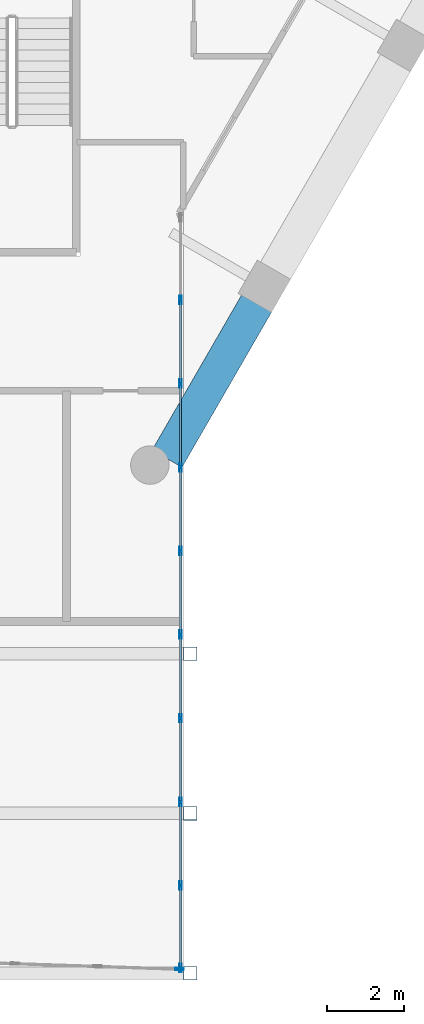
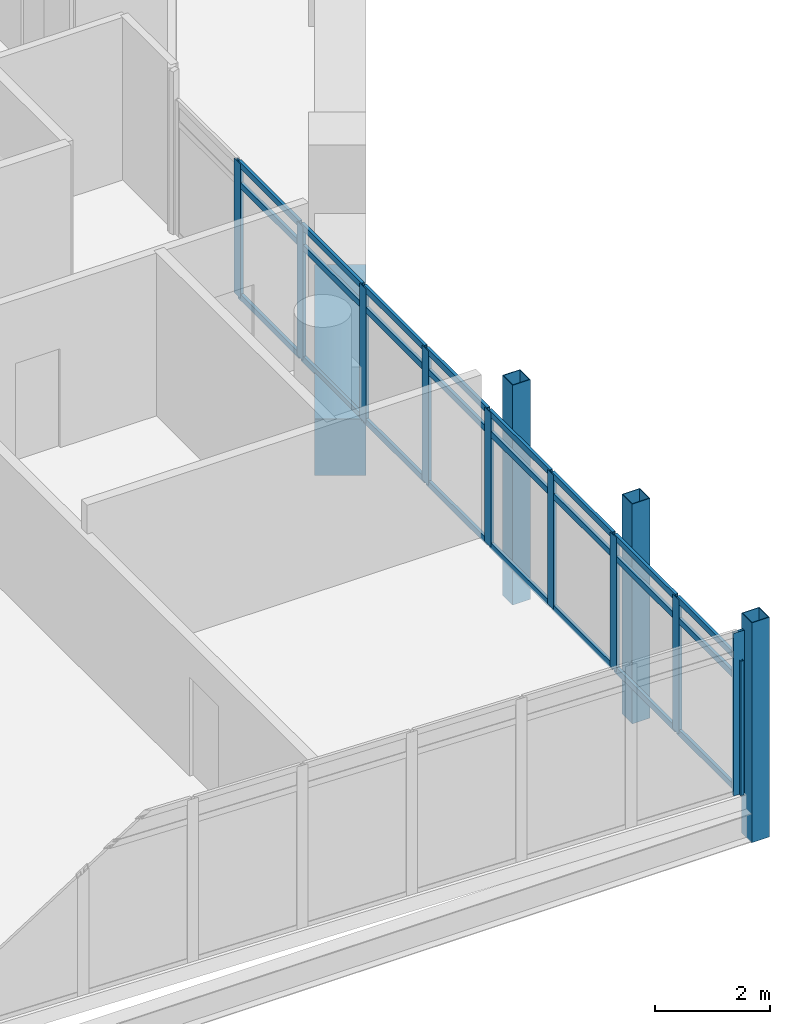
# One storey, part 10 of 29: 37 members, 1 beam, 2 elements without a shape of their own.
"""IFC4 building model written with IfcOpenShell, lengths in metres."""

from ifc_helpers import new_model, si_unit, direction, frame, origin, origin_2d, place, context, subcontext, project, spatial, rectangle, hollow_rectangle, extrude, material, material_profile, profile_set, type_object, element, aggregate, save


model = new_model("IFC4")

# Units and contexts
model_context = context("Model", 3, precision=1e-05, world=origin(), true_north=direction((0.0, 1.0)))
body_context = subcontext(model_context, "Body", "Model", "MODEL_VIEW")
ifc_project = project(units=[si_unit("LENGTHUNIT", "METRE"), si_unit("AREAUNIT", "SQUARE_METRE"), si_unit("VOLUMEUNIT", "CUBIC_METRE"), si_unit("PLANEANGLEUNIT", "RADIAN"), si_unit("MASSUNIT", "GRAM", prefix="KILO")], contexts=[model_context])

# Site, building, storey
site_placement = place(None, origin())
site = spatial("IfcSite", under=ifc_project, at=site_placement, CompositionType="ELEMENT")
building_placement = place(site_placement, origin())
building = spatial("IfcBuilding", under=site, at=building_placement, Name="Ostrander Bayou Hotel Tower", CompositionType="ELEMENT")
storey_placement = place(building_placement, frame((0.0, 0.0, 205.75)))
storey = spatial("IfcBuildingStorey", under=building, at=storey_placement, Name="L51", CompositionType="ELEMENT", Elevation=205.75)

# Curtain wall, member
ifc_material_1 = material(Name="Aluminium and clear glass", Category="aluminium")
curtain_wall_type = type_object("IfcCurtainWallType", Name="CW-BAR glazed wall", PredefinedType="NOTDEFINED", material=ifc_material_1)
curtain_wall_1_placement = place(storey_placement, origin())
curtain_wall_1 = element("IfcCurtainWall", 1, at=curtain_wall_1_placement, inside=storey, type_object=curtain_wall_type, Name="CW-BAR L51:SB4S:T", PredefinedType="NOTDEFINED")
ifc_material_2 = material(Name="Aluminium", Category="aluminium")
ifc_material_profile_1 = material_profile(ifc_material_2, hollow_rectangle(XDim=0.06005859375, YDim=0.219970703125, WallThickness=0.00390625, at=origin_2d()))
ifc_profile_set_1 = profile_set([ifc_material_profile_1], Name="Aluminium")
member_type_1 = type_object("IfcMemberType", Name="CW-BR mullion 60 x 220 mm", PredefinedType="MULLION", material=ifc_profile_set_1)
member_1_placement = place(storey_placement, frame((11.8271484375, -30.04638671875, 0.0), z_axis=(0.0, 0.0, 1.0), x_axis=(0.03350511268, 0.999438546097, 0.0)))
member_1 = element("IfcMember", 2, at=member_1_placement, type_object=member_type_1, Name="CW-BAR mullion 12", PredefinedType="MULLION", context=body_context, shape_type="SweptSolid", body=[
    extrude(hollow_rectangle(XDim=0.06005859375, YDim=0.219970703125, WallThickness=0.00390625, at=origin_2d()), origin(), (0.0, 0.0, 1.0), 3.449951171875),
])
aggregate(curtain_wall_1, [member_1])

# Curtain wall, members
curtain_wall_2_placement = place(storey_placement, origin())
curtain_wall_2 = element("IfcCurtainWall", 3, at=curtain_wall_2_placement, inside=storey, type_object=curtain_wall_type, Name="CW-BAR L51:SB4S:W", PredefinedType="NOTDEFINED")
member_2_placement = place(storey_placement, frame((11.857177734375, -12.638671875, 0.0), z_axis=(0.0, 0.0, 1.0), x_axis=(1.0, 0.0, 0.0)))
member_2 = element("IfcMember", 4, at=member_2_placement, type_object=member_type_1, Name="CW-BAR mullion 2", PredefinedType="MULLION", context=body_context, shape_type="SweptSolid", body=[
    extrude(hollow_rectangle(XDim=0.06005859375, YDim=0.219970703125, WallThickness=0.00390625, at=origin_2d()), origin(), (0.0, 0.0, 1.0), 2.85009765625),
])
member_3_placement = place(storey_placement, frame((11.857177734375, -14.81494140625, 0.0), z_axis=(0.0, 0.0, 1.0), x_axis=(1.0, 0.0, 0.0)))
member_3 = element("IfcMember", 5, at=member_3_placement, type_object=member_type_1, Name="CW-BAR mullion 3", PredefinedType="MULLION", context=body_context, shape_type="SweptSolid", body=[
    extrude(hollow_rectangle(XDim=0.06005859375, YDim=0.219970703125, WallThickness=0.00390625, at=origin_2d()), origin(), (0.0, 0.0, 1.0), 2.85009765625),
])
member_4_placement = place(storey_placement, frame((11.857177734375, -16.990966796875, 0.0), z_axis=(0.0, 0.0, 1.0), x_axis=(1.0, 0.0, 0.0)))
member_4 = element("IfcMember", 6, at=member_4_placement, type_object=member_type_1, Name="CW-BAR mullion 4", PredefinedType="MULLION", context=body_context, shape_type="SweptSolid", body=[
    extrude(hollow_rectangle(XDim=0.06005859375, YDim=0.219970703125, WallThickness=0.00390625, at=origin_2d()), origin(), (0.0, 0.0, 1.0), 2.85009765625),
])
member_5_placement = place(storey_placement, frame((11.857177734375, -19.1669921875, 0.0), z_axis=(0.0, 0.0, 1.0), x_axis=(1.0, 0.0, 0.0)))
member_5 = element("IfcMember", 7, at=member_5_placement, type_object=member_type_1, Name="CW-BAR mullion 5", PredefinedType="MULLION", context=body_context, shape_type="SweptSolid", body=[
    extrude(hollow_rectangle(XDim=0.06005859375, YDim=0.219970703125, WallThickness=0.00390625, at=origin_2d()), origin(), (0.0, 0.0, 1.0), 2.85009765625),
])
member_6_placement = place(storey_placement, frame((11.857177734375, -21.34326171875, 0.0), z_axis=(0.0, 0.0, 1.0), x_axis=(1.0, 0.0, 0.0)))
member_6 = element("IfcMember", 8, at=member_6_placement, type_object=member_type_1, Name="CW-BAR mullion 6", PredefinedType="MULLION", context=body_context, shape_type="SweptSolid", body=[
    extrude(hollow_rectangle(XDim=0.06005859375, YDim=0.219970703125, WallThickness=0.00390625, at=origin_2d()), origin(), (0.0, 0.0, 1.0), 2.85009765625),
])
member_7_placement = place(storey_placement, frame((11.857177734375, -23.519287109375, 0.0), z_axis=(0.0, 0.0, 1.0), x_axis=(1.0, 0.0, 0.0)))
member_7 = element("IfcMember", 9, at=member_7_placement, type_object=member_type_1, Name="CW-BAR mullion 7", PredefinedType="MULLION", context=body_context, shape_type="SweptSolid", body=[
    extrude(hollow_rectangle(XDim=0.06005859375, YDim=0.219970703125, WallThickness=0.00390625, at=origin_2d()), origin(), (0.0, 0.0, 1.0), 2.85009765625),
])
member_8_placement = place(storey_placement, frame((11.857177734375, -25.6953125, 0.0), z_axis=(0.0, 0.0, 1.0), x_axis=(1.0, 0.0, 0.0)))
member_8 = element("IfcMember", 10, at=member_8_placement, type_object=member_type_1, Name="CW-BAR mullion 8", PredefinedType="MULLION", context=body_context, shape_type="SweptSolid", body=[
    extrude(hollow_rectangle(XDim=0.06005859375, YDim=0.219970703125, WallThickness=0.00390625, at=origin_2d()), origin(), (0.0, 0.0, 1.0), 2.85009765625),
])
member_9_placement = place(storey_placement, frame((11.857177734375, -27.871337890625, 0.0), z_axis=(0.0, 0.0, 1.0), x_axis=(1.0, 0.0, 0.0)))
member_9 = element("IfcMember", 11, at=member_9_placement, type_object=member_type_1, Name="CW-BAR mullion 9", PredefinedType="MULLION", context=body_context, shape_type="SweptSolid", body=[
    extrude(hollow_rectangle(XDim=0.06005859375, YDim=0.219970703125, WallThickness=0.00390625, at=origin_2d()), origin(), (0.0, 0.0, 1.0), 2.85009765625),
])
member_10_placement = place(storey_placement, frame((11.857177734375, -30.017578125, 0.0), z_axis=(0.0, 0.0, 1.0), x_axis=(1.0, 0.0, 0.0)))
member_10 = element("IfcMember", 12, at=member_10_placement, type_object=member_type_1, Name="CW-BAR mullion 10", PredefinedType="MULLION", context=body_context, shape_type="SweptSolid", body=[
    extrude(hollow_rectangle(XDim=0.06005859375, YDim=0.219970703125, WallThickness=0.00390625, at=origin_2d()), origin(), (0.0, 0.0, 1.0), 2.85009765625),
])
ifc_material_3 = material(Name="Aluminium", Category="aluminium")
ifc_material_profile_2 = material_profile(ifc_material_3, hollow_rectangle(XDim=0.06005859375, YDim=0.1298828125, WallThickness=0.00390625, at=origin_2d()))
ifc_profile_set_2 = profile_set([ifc_material_profile_2], Name="Aluminium")
member_type_2 = type_object("IfcMemberType", Name="CW-BR transom 60 x 130 mm", PredefinedType="USERDEFINED", material=ifc_profile_set_2)
member_11_placement = place(storey_placement, frame((11.857177734375, -12.668701171875, 0.030029296875), z_axis=(0.0, -1.0, 0.0), x_axis=(1.0, 0.0, 0.0)))
member_11 = element("IfcMember", 13, at=member_11_placement, type_object=member_type_2, Name="CW-BAR transom 2.1", ObjectType="TRANSOM", PredefinedType="USERDEFINED", context=body_context, shape_type="SweptSolid", body=[
    extrude(hollow_rectangle(XDim=0.06005859375, YDim=0.1298828125, WallThickness=0.00390625, at=origin_2d()), origin(), (0.0, 0.0, 1.0), 2.1162109375),
])
member_12_placement = place(storey_placement, frame((11.857177734375, -12.668701171875, 2.39990234375), z_axis=(0.0, -1.0, 0.0), x_axis=(1.0, 0.0, 0.0)))
member_12 = element("IfcMember", 14, at=member_12_placement, type_object=member_type_2, Name="CW-BAR transom 2.2", ObjectType="TRANSOM", PredefinedType="USERDEFINED", context=body_context, shape_type="SweptSolid", body=[
    extrude(hollow_rectangle(XDim=0.06005859375, YDim=0.1298828125, WallThickness=0.00390625, at=origin_2d()), origin(), (0.0, 0.0, 1.0), 2.1162109375),
])
member_13_placement = place(storey_placement, frame((11.857177734375, -12.668701171875, 2.820068359375), z_axis=(0.0, -1.0, 0.0), x_axis=(1.0, 0.0, 0.0)))
member_13 = element("IfcMember", 15, at=member_13_placement, type_object=member_type_2, Name="CW-BAR transom 2.3", ObjectType="TRANSOM", PredefinedType="USERDEFINED", context=body_context, shape_type="SweptSolid", body=[
    extrude(hollow_rectangle(XDim=0.06005859375, YDim=0.1298828125, WallThickness=0.00390625, at=origin_2d()), origin(), (0.0, 0.0, 1.0), 2.1162109375),
])
member_14_placement = place(storey_placement, frame((11.857177734375, -14.844970703125, 0.030029296875), z_axis=(0.0, -1.0, 0.0), x_axis=(1.0, 0.0, 0.0)))
member_14 = element("IfcMember", 16, at=member_14_placement, type_object=member_type_2, Name="CW-BAR transom 3.1", ObjectType="TRANSOM", PredefinedType="USERDEFINED", context=body_context, shape_type="SweptSolid", body=[
    extrude(hollow_rectangle(XDim=0.06005859375, YDim=0.1298828125, WallThickness=0.00390625, at=origin_2d()), origin(), (0.0, 0.0, 1.0), 2.115966796875),
])
member_15_placement = place(storey_placement, frame((11.857177734375, -14.844970703125, 2.39990234375), z_axis=(0.0, -1.0, 0.0), x_axis=(1.0, 0.0, 0.0)))
member_15 = element("IfcMember", 17, at=member_15_placement, type_object=member_type_2, Name="CW-BAR transom 3.2", ObjectType="TRANSOM", PredefinedType="USERDEFINED", context=body_context, shape_type="SweptSolid", body=[
    extrude(hollow_rectangle(XDim=0.06005859375, YDim=0.1298828125, WallThickness=0.00390625, at=origin_2d()), origin(), (0.0, 0.0, 1.0), 2.115966796875),
])
member_16_placement = place(storey_placement, frame((11.857177734375, -14.844970703125, 2.820068359375), z_axis=(0.0, -1.0, 0.0), x_axis=(1.0, 0.0, 0.0)))
member_16 = element("IfcMember", 18, at=member_16_placement, type_object=member_type_2, Name="CW-BAR transom 3.3", ObjectType="TRANSOM", PredefinedType="USERDEFINED", context=body_context, shape_type="SweptSolid", body=[
    extrude(hollow_rectangle(XDim=0.06005859375, YDim=0.1298828125, WallThickness=0.00390625, at=origin_2d()), origin(), (0.0, 0.0, 1.0), 2.115966796875),
])
member_17_placement = place(storey_placement, frame((11.857177734375, -17.02099609375, 0.030029296875), z_axis=(0.0, -1.0, 0.0), x_axis=(1.0, 0.0, 0.0)))
member_17 = element("IfcMember", 19, at=member_17_placement, type_object=member_type_2, Name="CW-BAR transom 4.1", ObjectType="TRANSOM", PredefinedType="USERDEFINED", context=body_context, shape_type="SweptSolid", body=[
    extrude(hollow_rectangle(XDim=0.06005859375, YDim=0.1298828125, WallThickness=0.00390625, at=origin_2d()), origin(), (0.0, 0.0, 1.0), 2.115966796875),
])
member_18_placement = place(storey_placement, frame((11.857177734375, -17.02099609375, 2.39990234375), z_axis=(0.0, -1.0, 0.0), x_axis=(1.0, 0.0, 0.0)))
member_18 = element("IfcMember", 20, at=member_18_placement, type_object=member_type_2, Name="CW-BAR transom 4.2", ObjectType="TRANSOM", PredefinedType="USERDEFINED", context=body_context, shape_type="SweptSolid", body=[
    extrude(hollow_rectangle(XDim=0.06005859375, YDim=0.1298828125, WallThickness=0.00390625, at=origin_2d()), origin(), (0.0, 0.0, 1.0), 2.115966796875),
])
member_19_placement = place(storey_placement, frame((11.857177734375, -17.02099609375, 2.820068359375), z_axis=(0.0, -1.0, 0.0), x_axis=(1.0, 0.0, 0.0)))
member_19 = element("IfcMember", 21, at=member_19_placement, type_object=member_type_2, Name="CW-BAR transom 4.3", ObjectType="TRANSOM", PredefinedType="USERDEFINED", context=body_context, shape_type="SweptSolid", body=[
    extrude(hollow_rectangle(XDim=0.06005859375, YDim=0.1298828125, WallThickness=0.00390625, at=origin_2d()), origin(), (0.0, 0.0, 1.0), 2.115966796875),
])
member_20_placement = place(storey_placement, frame((11.857177734375, -19.197021484375, 0.030029296875), z_axis=(0.0, -1.0, 0.0), x_axis=(1.0, 0.0, 0.0)))
member_20 = element("IfcMember", 22, at=member_20_placement, type_object=member_type_2, Name="CW-BAR transom 5.1", ObjectType="TRANSOM", PredefinedType="USERDEFINED", context=body_context, shape_type="SweptSolid", body=[
    extrude(hollow_rectangle(XDim=0.06005859375, YDim=0.1298828125, WallThickness=0.00390625, at=origin_2d()), origin(), (0.0, 0.0, 1.0), 2.1162109375),
])
member_21_placement = place(storey_placement, frame((11.857177734375, -19.197021484375, 2.39990234375), z_axis=(0.0, -1.0, 0.0), x_axis=(1.0, 0.0, 0.0)))
member_21 = element("IfcMember", 23, at=member_21_placement, type_object=member_type_2, Name="CW-BAR transom 5.2", ObjectType="TRANSOM", PredefinedType="USERDEFINED", context=body_context, shape_type="SweptSolid", body=[
    extrude(hollow_rectangle(XDim=0.06005859375, YDim=0.1298828125, WallThickness=0.00390625, at=origin_2d()), origin(), (0.0, 0.0, 1.0), 2.1162109375),
])
member_22_placement = place(storey_placement, frame((11.857177734375, -19.197021484375, 2.820068359375), z_axis=(0.0, -1.0, 0.0), x_axis=(1.0, 0.0, 0.0)))
member_22 = element("IfcMember", 24, at=member_22_placement, type_object=member_type_2, Name="CW-BAR transom 5.3", ObjectType="TRANSOM", PredefinedType="USERDEFINED", context=body_context, shape_type="SweptSolid", body=[
    extrude(hollow_rectangle(XDim=0.06005859375, YDim=0.1298828125, WallThickness=0.00390625, at=origin_2d()), origin(), (0.0, 0.0, 1.0), 2.1162109375),
])
member_23_placement = place(storey_placement, frame((11.857177734375, -21.373046875, 0.030029296875), z_axis=(0.0, -1.0, 0.0), x_axis=(1.0, 0.0, 0.0)))
member_23 = element("IfcMember", 25, at=member_23_placement, type_object=member_type_2, Name="CW-BAR transom 6.1", ObjectType="TRANSOM", PredefinedType="USERDEFINED", context=body_context, shape_type="SweptSolid", body=[
    extrude(hollow_rectangle(XDim=0.06005859375, YDim=0.1298828125, WallThickness=0.00390625, at=origin_2d()), origin(), (0.0, 0.0, 1.0), 2.1162109375),
])
member_24_placement = place(storey_placement, frame((11.857177734375, -21.373046875, 2.39990234375), z_axis=(0.0, -1.0, 0.0), x_axis=(1.0, 0.0, 0.0)))
member_24 = element("IfcMember", 26, at=member_24_placement, type_object=member_type_2, Name="CW-BAR transom 6.2", ObjectType="TRANSOM", PredefinedType="USERDEFINED", context=body_context, shape_type="SweptSolid", body=[
    extrude(hollow_rectangle(XDim=0.06005859375, YDim=0.1298828125, WallThickness=0.00390625, at=origin_2d()), origin(), (0.0, 0.0, 1.0), 2.1162109375),
])
member_25_placement = place(storey_placement, frame((11.857177734375, -21.373046875, 2.820068359375), z_axis=(0.0, -1.0, 0.0), x_axis=(1.0, 0.0, 0.0)))
member_25 = element("IfcMember", 27, at=member_25_placement, type_object=member_type_2, Name="CW-BAR transom 6.3", ObjectType="TRANSOM", PredefinedType="USERDEFINED", context=body_context, shape_type="SweptSolid", body=[
    extrude(hollow_rectangle(XDim=0.06005859375, YDim=0.1298828125, WallThickness=0.00390625, at=origin_2d()), origin(), (0.0, 0.0, 1.0), 2.1162109375),
])
member_26_placement = place(storey_placement, frame((11.857177734375, -23.54931640625, 0.030029296875), z_axis=(0.0, -1.0, 0.0), x_axis=(1.0, 0.0, 0.0)))
member_26 = element("IfcMember", 28, at=member_26_placement, type_object=member_type_2, Name="CW-BAR transom 7.1", ObjectType="TRANSOM", PredefinedType="USERDEFINED", context=body_context, shape_type="SweptSolid", body=[
    extrude(hollow_rectangle(XDim=0.06005859375, YDim=0.1298828125, WallThickness=0.00390625, at=origin_2d()), origin(), (0.0, 0.0, 1.0), 2.115966796875),
])
member_27_placement = place(storey_placement, frame((11.857177734375, -23.54931640625, 2.39990234375), z_axis=(0.0, -1.0, 0.0), x_axis=(1.0, 0.0, 0.0)))
member_27 = element("IfcMember", 29, at=member_27_placement, type_object=member_type_2, Name="CW-BAR transom 7.2", ObjectType="TRANSOM", PredefinedType="USERDEFINED", context=body_context, shape_type="SweptSolid", body=[
    extrude(hollow_rectangle(XDim=0.06005859375, YDim=0.1298828125, WallThickness=0.00390625, at=origin_2d()), origin(), (0.0, 0.0, 1.0), 2.115966796875),
])
member_28_placement = place(storey_placement, frame((11.857177734375, -23.54931640625, 2.820068359375), z_axis=(0.0, -1.0, 0.0), x_axis=(1.0, 0.0, 0.0)))
member_28 = element("IfcMember", 30, at=member_28_placement, type_object=member_type_2, Name="CW-BAR transom 7.3", ObjectType="TRANSOM", PredefinedType="USERDEFINED", context=body_context, shape_type="SweptSolid", body=[
    extrude(hollow_rectangle(XDim=0.06005859375, YDim=0.1298828125, WallThickness=0.00390625, at=origin_2d()), origin(), (0.0, 0.0, 1.0), 2.115966796875),
])
member_29_placement = place(storey_placement, frame((11.857177734375, -25.725341796875, 0.030029296875), z_axis=(0.0, -1.0, 0.0), x_axis=(1.0, 0.0, 0.0)))
member_29 = element("IfcMember", 31, at=member_29_placement, type_object=member_type_2, Name="CW-BAR transom 8.1", ObjectType="TRANSOM", PredefinedType="USERDEFINED", context=body_context, shape_type="SweptSolid", body=[
    extrude(hollow_rectangle(XDim=0.06005859375, YDim=0.1298828125, WallThickness=0.00390625, at=origin_2d()), origin(), (0.0, 0.0, 1.0), 2.115966796875),
])
member_30_placement = place(storey_placement, frame((11.857177734375, -25.725341796875, 2.39990234375), z_axis=(0.0, -1.0, 0.0), x_axis=(1.0, 0.0, 0.0)))
member_30 = element("IfcMember", 32, at=member_30_placement, type_object=member_type_2, Name="CW-BAR transom 8.2", ObjectType="TRANSOM", PredefinedType="USERDEFINED", context=body_context, shape_type="SweptSolid", body=[
    extrude(hollow_rectangle(XDim=0.06005859375, YDim=0.1298828125, WallThickness=0.00390625, at=origin_2d()), origin(), (0.0, 0.0, 1.0), 2.115966796875),
])
member_31_placement = place(storey_placement, frame((11.857177734375, -25.725341796875, 2.820068359375), z_axis=(0.0, -1.0, 0.0), x_axis=(1.0, 0.0, 0.0)))
member_31 = element("IfcMember", 33, at=member_31_placement, type_object=member_type_2, Name="CW-BAR transom 8.3", ObjectType="TRANSOM", PredefinedType="USERDEFINED", context=body_context, shape_type="SweptSolid", body=[
    extrude(hollow_rectangle(XDim=0.06005859375, YDim=0.1298828125, WallThickness=0.00390625, at=origin_2d()), origin(), (0.0, 0.0, 1.0), 2.115966796875),
])
member_32_placement = place(storey_placement, frame((11.857177734375, -27.9013671875, 0.030029296875), z_axis=(0.0, -1.0, 0.0), x_axis=(1.0, 0.0, 0.0)))
member_32 = element("IfcMember", 34, at=member_32_placement, type_object=member_type_2, Name="CW-BAR transom 9.1", ObjectType="TRANSOM", PredefinedType="USERDEFINED", context=body_context, shape_type="SweptSolid", body=[
    extrude(hollow_rectangle(XDim=0.06005859375, YDim=0.1298828125, WallThickness=0.00390625, at=origin_2d()), origin(), (0.0, 0.0, 1.0), 2.086181640625),
])
member_33_placement = place(storey_placement, frame((11.857177734375, -27.9013671875, 2.39990234375), z_axis=(0.0, -1.0, 0.0), x_axis=(1.0, 0.0, 0.0)))
member_33 = element("IfcMember", 35, at=member_33_placement, type_object=member_type_2, Name="CW-BAR transom 9.2", ObjectType="TRANSOM", PredefinedType="USERDEFINED", context=body_context, shape_type="SweptSolid", body=[
    extrude(hollow_rectangle(XDim=0.06005859375, YDim=0.1298828125, WallThickness=0.00390625, at=origin_2d()), origin(), (0.0, 0.0, 1.0), 2.086181640625),
])
member_34_placement = place(storey_placement, frame((11.857177734375, -27.9013671875, 2.820068359375), z_axis=(0.0, -1.0, 0.0), x_axis=(1.0, 0.0, 0.0)))
member_34 = element("IfcMember", 36, at=member_34_placement, type_object=member_type_2, Name="CW-BAR transom 9.3", ObjectType="TRANSOM", PredefinedType="USERDEFINED", context=body_context, shape_type="SweptSolid", body=[
    extrude(hollow_rectangle(XDim=0.06005859375, YDim=0.1298828125, WallThickness=0.00390625, at=origin_2d()), origin(), (0.0, 0.0, 1.0), 2.086181640625),
])
aggregate(curtain_wall_2, [member_2, member_3, member_4, member_5, member_6, member_7, member_8, member_9, member_10, member_11, member_12, member_13, member_14, member_15, member_16, member_17, member_18, member_19, member_20, member_21, member_22, member_23, member_24, member_25, member_26, member_27, member_28, member_29, member_30, member_31, member_32, member_33, member_34])

# Beam
ifc_material_4 = material(Name="Concrete f'c 60 MPa", Category="concrete")
ifc_material_profile_3 = material_profile(ifc_material_4, rectangle(XDim=0.89990234375, YDim=1.199951171875, at=origin_2d()))
ifc_profile_set_3 = profile_set([ifc_material_profile_3], Name="Concrete f'c 60 MPa")
beam_type = type_object("IfcBeamType", Name="SP3 spandrel beam 900 x 1200 mm f'c 60 MPa", PredefinedType="SPANDREL", material=ifc_profile_set_3)
beam_placement = place(storey_placement, frame((11.508056640625, -16.767578125, -0.60009765625), z_axis=(0.499966354109, 0.866044828377, 0.0), x_axis=(-0.866044828377, 0.499966354109, 0.0)))
element("IfcBeam", 37, at=beam_placement, inside=storey, type_object=beam_type, Name="SP3 L51 SE-1", PredefinedType="SPANDREL", context=body_context, shape_type="SweptSolid", body=[
    extrude(rectangle(XDim=0.89990234375, YDim=1.199951171875, at=origin_2d()), origin(), (0.0, 0.0, 1.0), 4.678955078125),
])

# Members
ifc_material_5 = material(Name="Steel ASTM A500 Gr C", Category="steel")
ifc_material_profile_4 = material_profile(ifc_material_5, hollow_rectangle(XDim=0.355712890625, YDim=0.355712890625, WallThickness=0.0146484375, at=origin_2d()))
ifc_profile_set_4 = profile_set([ifc_material_profile_4], Name="Steel ASTM A500 Gr C")
member_type_3 = type_object("IfcMemberType", Name="TH1 bar hanger HSS14x14x5/8", PredefinedType="POST", material=ifc_profile_set_4)
for number, where, z_axis, x_axis, name in (
    (38, (12.110107421875, -21.840576171875, -0.9111328125), (0.0, 0.0, 1.0), (1.0, 0.0, 0.0), "TH1 SB4SB H1-4"),
    (39, (12.110107421875, -25.995361328125, -0.9111328125), (0.0, 0.0, 1.0), (1.0, 0.0, 0.0), "TH1 SB4SB H2-4"),
    (40, (12.110107421875, -30.14990234375, -0.9111328125), (0.0, 0.0, 1.0), (1.0, 0.0, 0.0), "TH1 SB4SB H3-4"),
):
    element("IfcMember", number, at=place(storey_placement, frame(where, z_axis=z_axis, x_axis=x_axis)), inside=storey, type_object=member_type_3, Name=name, PredefinedType="POST", context=body_context, shape_type="SweptSolid", body=[
        extrude(hollow_rectangle(XDim=0.355712890625, YDim=0.355712890625, WallThickness=0.0146484375, at=origin_2d()), origin(), (0.0, 0.0, 1.0), 4.6611328125),
    ])

save(model, "model.ifc")
